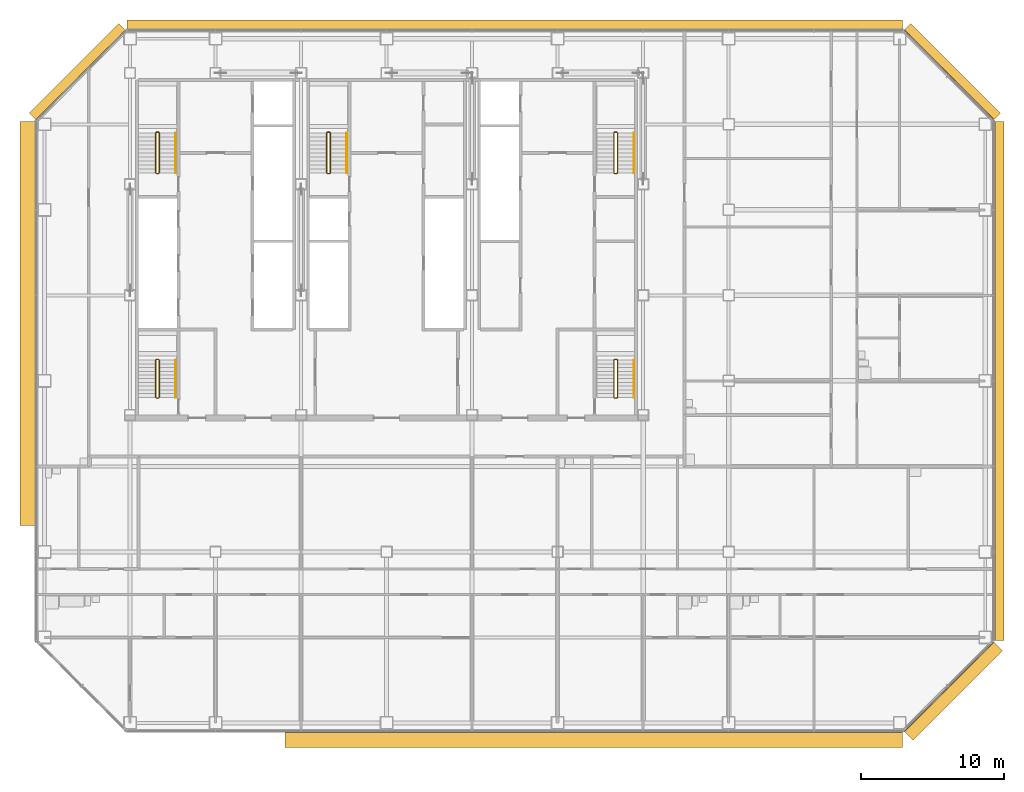
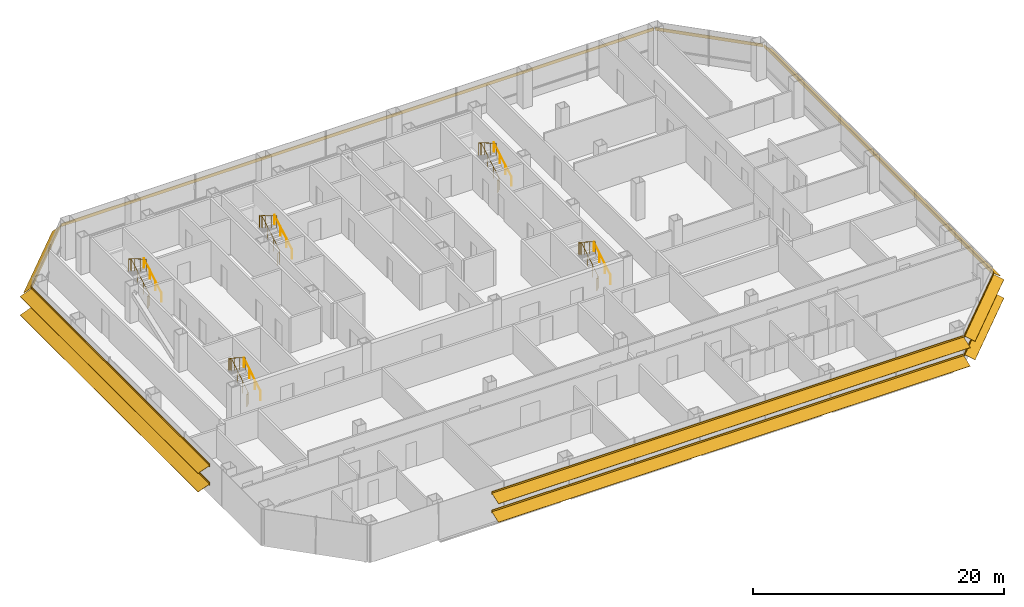
# One storey, part 26 of 27: 10 railings, 7 shading devices.
"""IFC4 building model written with IfcOpenShell, lengths in metres."""

from ifc_helpers import new_model, si_unit, direction, frame, origin, origin_2d, place, context, subcontext, project, spatial, polyline, circle, outline, composite_profile, extrude, material, type_object, element, save


model = new_model("IFC4")

# Units and contexts
model_context = context("Model", 3, precision=1e-05, world=origin(), true_north=direction((0.0, 1.0)))
body_context = subcontext(model_context, "Body", "Model", "MODEL_VIEW")
ifc_project = project(units=[si_unit("LENGTHUNIT", "METRE"), si_unit("AREAUNIT", "SQUARE_METRE"), si_unit("VOLUMEUNIT", "CUBIC_METRE"), si_unit("PLANEANGLEUNIT", "RADIAN"), si_unit("MASSUNIT", "GRAM", prefix="KILO")], contexts=[model_context])

# Site, building, storey
site_placement = place(None, origin())
site = spatial("IfcSite", under=ifc_project, at=site_placement, CompositionType="ELEMENT")
building_placement = place(site_placement, origin())
building = spatial("IfcBuilding", under=site, at=building_placement, Name="Sorahane Residences", CompositionType="ELEMENT")
storey_placement = place(building_placement, frame((0.0, 0.0, 57.0)))
storey = spatial("IfcBuildingStorey", under=building, at=storey_placement, Name="L10", CompositionType="ELEMENT", Elevation=57.0)

# Shading devices
ifc_material_1 = material(Name="Terracotta anodised aluminium", Category="masonry")
shading_device_type_1 = type_object("IfcShadingDeviceType", Name="Louvre sunshade blade E terracotta aluminium 700", PredefinedType="JALOUSIE", material=ifc_material_1)
shading_device_1_placement = place(storey_placement, frame((66.60009765625, 5.801513671875, 2.699951171875), z_axis=(0.0, 1.0, 0.0), x_axis=(-1.0, 0.0, 0.0)))
element("IfcShadingDevice", 1, at=shading_device_1_placement, inside=storey, type_object=shading_device_type_1, Name="Louvre sunshade blade bank E L10 E1", PredefinedType="JALOUSIE", context=body_context, shape_type="SweptSolid", body=[
    extrude(outline(polyline([(-0.719970703125, -0.49365234375), (-0.719970703125, -0.523681640625), (-0.080078125, -0.05859375), (-0.080078125, -0.14990234375), (-0.02001953125, -0.14990234375), (-0.02001953125, -0.014892578125), (-0.02001953125, 0.014892578125), (-0.02001953125, 0.14990234375), (-0.080078125, 0.14990234375), (-0.080078125, -0.028564453125), (-0.719970703125, -0.49365234375)])), origin(), (0.0, 0.0, 1.0), 36.39697265625),
])
ifc_material_2 = material(Name="Terracotta anodised aluminium", Category="masonry")
shading_device_type_2 = type_object("IfcShadingDeviceType", Name="Louvre sunshade blade N terracotta aluminium 700", PredefinedType="JALOUSIE", material=ifc_material_2)
shading_device_2_placement = place(storey_placement, frame((60.198486328125, 48.60009765625, 2.699951171875), z_axis=(-1.0, 0.0, 0.0), x_axis=(0.0, -1.0, 0.0)))
element("IfcShadingDevice", 2, at=shading_device_2_placement, inside=storey, type_object=shading_device_type_2, Name="Louvre sunshade blade bank N L10 N1", PredefinedType="JALOUSIE", context=body_context, shape_type="SweptSolid", body=[
    extrude(outline(polyline([(-0.719970703125, -0.660888671875), (-0.719970703125, -0.69091796875), (-0.080078125, -0.072998046875), (-0.080078125, -0.14990234375), (-0.02001953125, -0.14990234375), (-0.02001953125, -0.014892578125), (-0.02001953125, 0.014892578125), (-0.02001953125, 0.14990234375), (-0.080078125, 0.14990234375), (-0.080078125, -0.04296875), (-0.719970703125, -0.660888671875)])), origin(), (0.0, 0.0, 1.0), 54.39697265625),
])
ifc_material_3 = material(Name="Terracotta anodised aluminium", Category="masonry")
shading_device_type_3 = type_object("IfcShadingDeviceType", Name="Louvre sunshade blade NE terracotta aluminium 700", PredefinedType="JALOUSIE", material=ifc_material_3)
shading_device_3_placement = place(storey_placement, frame((66.564697265625, 42.283935546875, 2.699951171875), z_axis=(-0.707106781187, 0.707106781187, 0.0), x_axis=(-0.707106781187, -0.707106781187, 0.0)))
element("IfcShadingDevice", 3, at=shading_device_3_placement, inside=storey, type_object=shading_device_type_3, Name="Louvre sunshade blade bank NE L10 NE1", PredefinedType="JALOUSIE", context=body_context, shape_type="SweptSolid", body=[
    extrude(outline(polyline([(-0.719970703125, -0.572509765625), (-0.719970703125, -0.602294921875), (-0.080078125, -0.065185546875), (-0.080078125, -0.14990234375), (-0.02001953125, -0.14990234375), (-0.02001953125, -0.014892578125), (-0.02001953125, 0.014892578125), (-0.02001953125, 0.14990234375), (-0.080078125, 0.14990234375), (-0.080078125, -0.035400390625), (-0.719970703125, -0.572509765625)])), origin(), (0.0, 0.0, 1.0), 8.88232421875),
])
ifc_material_4 = material(Name="Terracotta anodised aluminium", Category="masonry")
shading_device_type_4 = type_object("IfcShadingDeviceType", Name="Louvre sunshade blade NW terracotta aluminium 700", PredefinedType="JALOUSIE", material=ifc_material_4)
shading_device_4_placement = place(storey_placement, frame((5.716064453125, 48.564697265625, 2.699951171875), z_axis=(-0.707106781187, -0.707106781187, 0.0), x_axis=(0.707106781187, -0.707106781187, 0.0)))
element("IfcShadingDevice", 4, at=shading_device_4_placement, inside=storey, type_object=shading_device_type_4, Name="Louvre sunshade blade bank NW L10 NW1", PredefinedType="JALOUSIE", context=body_context, shape_type="SweptSolid", body=[
    extrude(outline(polyline([(-0.719970703125, -0.660888671875), (-0.719970703125, -0.69091796875), (-0.080078125, -0.072998046875), (-0.080078125, -0.14990234375), (-0.02001953125, -0.14990234375), (-0.02001953125, -0.014892578125), (-0.02001953125, 0.014892578125), (-0.02001953125, 0.14990234375), (-0.080078125, 0.14990234375), (-0.080078125, -0.04296875), (-0.719970703125, -0.660888671875)])), origin(), (0.0, 0.0, 1.0), 8.88232421875),
])
ifc_material_5 = material(Name="Terracotta anodised aluminium", Category="masonry")
shading_device_type_5 = type_object("IfcShadingDeviceType", Name="Louvre sunshade blade S terracotta aluminium 1100", PredefinedType="JALOUSIE", material=ifc_material_5)
shading_device_5_placement = place(storey_placement, frame((16.869384765625, -0.60009765625, 0.89990234375), z_axis=(1.0, 0.0, 0.0), x_axis=(0.0, 1.0, 0.0)))
element("IfcShadingDevice", 5, at=shading_device_5_placement, inside=storey, type_object=shading_device_type_5, Name="Louvre sunshade blade bank S L10 S1", PredefinedType="JALOUSIE", context=body_context, shape_type="SweptSolid", body=[
    extrude(composite_profile([outline(polyline([(-1.1201171875, -0.385498046875), (-1.1201171875, -0.415283203125), (-0.080078125, -0.036865234375), (-0.080078125, -0.14990234375), (-0.02001953125, -0.14990234375), (-0.02001953125, -0.014892578125), (-0.02001953125, 0.014892578125), (-0.02001953125, 0.14990234375), (-0.080078125, 0.14990234375), (-0.080078125, -0.0068359375), (-1.1201171875, -0.385498046875)])), outline(polyline([(-1.1201171875, 1.41455078125), (-1.1201171875, 1.384521484375), (-0.080078125, 1.76318359375), (-0.080078125, 1.64990234375), (-0.02001953125, 1.64990234375), (-0.02001953125, 1.784912109375), (-0.02001953125, 1.81494140625), (-0.02001953125, 1.949951171875), (-0.080078125, 1.949951171875), (-0.080078125, 1.793212890625), (-1.1201171875, 1.41455078125)]))]), origin(), (0.0, 0.0, 1.0), 43.3291015625),
])
ifc_material_6 = material(Name="Terracotta anodised aluminium", Category="masonry")
shading_device_type_6 = type_object("IfcShadingDeviceType", Name="Louvre sunshade blade SE terracotta aluminium 900", PredefinedType="JALOUSIE", material=ifc_material_6)
shading_device_6_placement = place(storey_placement, frame((60.283935546875, -0.564697265625, 0.89990234375), z_axis=(0.707106781187, 0.707106781187, 0.0), x_axis=(-0.707106781187, 0.707106781187, 0.0)))
element("IfcShadingDevice", 6, at=shading_device_6_placement, inside=storey, type_object=shading_device_type_6, Name="Louvre sunshade blade bank SE L10 SE1", PredefinedType="JALOUSIE", context=body_context, shape_type="SweptSolid", body=[
    extrude(composite_profile([outline(polyline([(-0.919921875, -0.3486328125), (-0.919921875, -0.378662109375), (-0.080078125, -0.039306640625), (-0.080078125, -0.14990234375), (-0.02001953125, -0.14990234375), (-0.02001953125, -0.014892578125), (-0.02001953125, 0.014892578125), (-0.02001953125, 0.14990234375), (-0.080078125, 0.14990234375), (-0.080078125, -0.00927734375), (-0.919921875, -0.3486328125)])), outline(polyline([(-0.919921875, 1.451416015625), (-0.919921875, 1.42138671875), (-0.080078125, 1.7607421875), (-0.080078125, 1.64990234375), (-0.02001953125, 1.64990234375), (-0.02001953125, 1.784912109375), (-0.02001953125, 1.81494140625), (-0.02001953125, 1.949951171875), (-0.080078125, 1.949951171875), (-0.080078125, 1.790771484375), (-0.919921875, 1.451416015625)]))]), origin(), (0.0, 0.0, 1.0), 8.88232421875),
])
ifc_material_7 = material(Name="Terracotta anodised aluminium", Category="masonry")
shading_device_type_7 = type_object("IfcShadingDeviceType", Name="Louvre sunshade blade W terracotta aluminium 1100", PredefinedType="JALOUSIE", material=ifc_material_7)
shading_device_7_placement = place(storey_placement, frame((-0.60009765625, 42.198486328125, 0.89990234375), z_axis=(0.0, -1.0, 0.0), x_axis=(1.0, 0.0, 0.0)))
element("IfcShadingDevice", 7, at=shading_device_7_placement, inside=storey, type_object=shading_device_type_7, Name="Louvre sunshade blade bank W L10 W1", PredefinedType="JALOUSIE", context=body_context, shape_type="SweptSolid", body=[
    extrude(composite_profile([outline(polyline([(-1.1201171875, -0.385498046875), (-1.1201171875, -0.415283203125), (-0.080078125, -0.036865234375), (-0.080078125, -0.14990234375), (-0.02001953125, -0.14990234375), (-0.02001953125, -0.014892578125), (-0.02001953125, 0.014892578125), (-0.02001953125, 0.14990234375), (-0.080078125, 0.14990234375), (-0.080078125, -0.0068359375), (-1.1201171875, -0.385498046875)])), outline(polyline([(-1.1201171875, 1.41455078125), (-1.1201171875, 1.384521484375), (-0.080078125, 1.76318359375), (-0.080078125, 1.64990234375), (-0.02001953125, 1.64990234375), (-0.02001953125, 1.784912109375), (-0.02001953125, 1.81494140625), (-0.02001953125, 1.949951171875), (-0.080078125, 1.949951171875), (-0.080078125, 1.793212890625), (-1.1201171875, 1.41455078125)]))]), origin(), (0.0, 0.0, 1.0), 28.3291015625),
])

# Railings
ifc_material_8 = material(Name="Steel Q355B", Category="steel")
railing_type_1 = type_object("IfcRailingType", Name="Stair guard 1200 Steel Q355B", PredefinedType="GUARDRAIL", material=ifc_material_8)
railing_1_placement = place(storey_placement, frame((7.85009765625, 38.550048828125, 0.0)))
element("IfcRailing", 8, at=railing_1_placement, inside=storey, type_object=railing_type_1, Name="L10 S1 stair guard 1", PredefinedType="GUARDRAIL", context=body_context, shape_type="SweptSolid", body=[
    extrude(circle(Radius=0.02392578125, at=origin_2d()), frame((0.0, 0.0, 1.17578125), z_axis=(1.0, 0.0, 0.0), x_axis=(0.0, 1.0, 0.0)), (0.0, 0.0, 1.0), 0.14990234375),
    extrude(circle(Radius=0.02392578125, at=origin_2d()), frame((0.14990234375, 0.0, 1.17578125), z_axis=(0.280808744504, 0.280808744504, 0.917765164963), x_axis=(-0.707106781187, 0.707106781187, 0.0)), (0.0, 0.0, 1.0), 0.17822265625),
    extrude(circle(Radius=0.02392578125, at=origin_2d()), frame((0.199951171875, 0.050048828125, 1.33935546875), z_axis=(0.0, 0.863341702679, 0.504619762213), x_axis=(-1.0, 0.0, 0.0)), (0.0, 0.0, 1.0), 3.242919921875),
    extrude(circle(Radius=0.02392578125, at=origin_2d()), frame((0.199951171875, 2.849853515625, 2.97607421875), z_axis=(-0.707106781187, 0.707106781187, 0.0), x_axis=(-0.707106781187, -0.707106781187, 0.0)), (0.0, 0.0, 1.0), 0.07080078125),
    extrude(circle(Radius=0.02392578125, at=origin_2d()), frame((0.14990234375, 2.89990234375, 2.97607421875), z_axis=(-1.0, 0.0, 0.0), x_axis=(0.0, -1.0, 0.0)), (0.0, 0.0, 1.0), 0.14990234375),
    extrude(circle(Radius=0.02392578125, at=origin_2d()), frame((0.0, 2.89990234375, 2.97607421875), z_axis=(-0.280808744504, -0.280808744504, 0.917765164963), x_axis=(0.707106781187, -0.707106781187, 0.0)), (0.0, 0.0, 1.0), 0.17822265625),
    extrude(circle(Radius=0.02392578125, at=origin_2d()), frame((-0.050048828125, 2.849853515625, 3.1396484375), z_axis=(0.0, -0.863341702679, 0.504619762213), x_axis=(1.0, 0.0, 0.0)), (0.0, 0.0, 1.0), 3.242919921875),
    extrude(circle(Radius=0.02099609375, at=origin_2d()), origin(), (0.0, 0.0, 1.0), 1.15185546875),
    extrude(circle(Radius=0.02099609375, at=origin_2d()), frame((0.14990234375, 0.0, 0.0)), (0.0, 0.0, 1.0), 1.15185546875),
    extrude(circle(Radius=0.02099609375, at=origin_2d()), frame((0.199951171875, 0.050048828125, 0.16357421875)), (0.0, 0.0, 1.0), 1.15185546875),
    extrude(circle(Radius=0.02099609375, at=origin_2d()), frame((0.199951171875, 0.9833984375, 0.708984375)), (0.0, 0.0, 1.0), 1.15185546875),
    extrude(circle(Radius=0.02099609375, at=origin_2d()), frame((0.199951171875, 1.91650390625, 1.254638671875)), (0.0, 0.0, 1.0), 1.15185546875),
    extrude(circle(Radius=0.02099609375, at=origin_2d()), frame((0.199951171875, 2.849853515625, 1.800048828125)), (0.0, 0.0, 1.0), 1.15185546875),
    extrude(circle(Radius=0.02099609375, at=origin_2d()), frame((0.14990234375, 2.89990234375, 1.800048828125)), (0.0, 0.0, 1.0), 1.15185546875),
    extrude(circle(Radius=0.02099609375, at=origin_2d()), frame((0.0, 2.89990234375, 1.800048828125)), (0.0, 0.0, 1.0), 1.15185546875),
    extrude(circle(Radius=0.02099609375, at=origin_2d()), frame((-0.050048828125, 2.849853515625, 1.963623046875)), (0.0, 0.0, 1.0), 1.15185546875),
    extrude(circle(Radius=0.02099609375, at=origin_2d()), frame((-0.050048828125, 1.91650390625, 2.509033203125)), (0.0, 0.0, 1.0), 1.15185546875),
    extrude(circle(Radius=0.02099609375, at=origin_2d()), frame((-0.050048828125, 0.9833984375, 3.0546875)), (0.0, 0.0, 1.0), 1.15185546875),
    extrude(circle(Radius=0.02099609375, at=origin_2d()), frame((-0.050048828125, 0.050048828125, 3.60009765625)), (0.0, 0.0, 1.0), 1.15185546875),
])
railing_2_placement = place(storey_placement, frame((40.0, 38.550048828125, 0.0)))
element("IfcRailing", 9, at=railing_2_placement, inside=storey, type_object=railing_type_1, Name="L10 S2 stair guard 1", PredefinedType="GUARDRAIL", context=body_context, shape_type="SweptSolid", body=[
    extrude(circle(Radius=0.02392578125, at=origin_2d()), frame((0.0, 0.0, 1.17578125), z_axis=(1.0, 0.0, 0.0), x_axis=(0.0, 1.0, 0.0)), (0.0, 0.0, 1.0), 0.14990234375),
    extrude(circle(Radius=0.02392578125, at=origin_2d()), frame((0.14990234375, 0.0, 1.17578125), z_axis=(0.280808744504, 0.280808744504, 0.917765164963), x_axis=(-0.707106781187, 0.707106781187, 0.0)), (0.0, 0.0, 1.0), 0.17822265625),
    extrude(circle(Radius=0.02392578125, at=origin_2d()), frame((0.199951171875, 0.050048828125, 1.33935546875), z_axis=(0.0, 0.863341702679, 0.504619762213), x_axis=(-1.0, 0.0, 0.0)), (0.0, 0.0, 1.0), 3.242919921875),
    extrude(circle(Radius=0.02392578125, at=origin_2d()), frame((0.199951171875, 2.849853515625, 2.97607421875), z_axis=(-0.707106781187, 0.707106781187, 0.0), x_axis=(-0.707106781187, -0.707106781187, 0.0)), (0.0, 0.0, 1.0), 0.07080078125),
    extrude(circle(Radius=0.02392578125, at=origin_2d()), frame((0.14990234375, 2.89990234375, 2.97607421875), z_axis=(-1.0, 0.0, 0.0), x_axis=(0.0, -1.0, 0.0)), (0.0, 0.0, 1.0), 0.14990234375),
    extrude(circle(Radius=0.02392578125, at=origin_2d()), frame((0.0, 2.89990234375, 2.97607421875), z_axis=(-0.280808744504, -0.280808744504, 0.917765164963), x_axis=(0.707106781187, -0.707106781187, 0.0)), (0.0, 0.0, 1.0), 0.17822265625),
    extrude(circle(Radius=0.02392578125, at=origin_2d()), frame((-0.050048828125, 2.849853515625, 3.1396484375), z_axis=(0.0, -0.863341702679, 0.504619762213), x_axis=(1.0, 0.0, 0.0)), (0.0, 0.0, 1.0), 3.242919921875),
    extrude(circle(Radius=0.02099609375, at=origin_2d()), origin(), (0.0, 0.0, 1.0), 1.15185546875),
    extrude(circle(Radius=0.02099609375, at=origin_2d()), frame((0.14990234375, 0.0, 0.0)), (0.0, 0.0, 1.0), 1.15185546875),
    extrude(circle(Radius=0.02099609375, at=origin_2d()), frame((0.199951171875, 0.050048828125, 0.16357421875)), (0.0, 0.0, 1.0), 1.15185546875),
    extrude(circle(Radius=0.02099609375, at=origin_2d()), frame((0.199951171875, 0.9833984375, 0.708984375)), (0.0, 0.0, 1.0), 1.15185546875),
    extrude(circle(Radius=0.02099609375, at=origin_2d()), frame((0.199951171875, 1.91650390625, 1.254638671875)), (0.0, 0.0, 1.0), 1.15185546875),
    extrude(circle(Radius=0.02099609375, at=origin_2d()), frame((0.199951171875, 2.849853515625, 1.800048828125)), (0.0, 0.0, 1.0), 1.15185546875),
    extrude(circle(Radius=0.02099609375, at=origin_2d()), frame((0.14990234375, 2.89990234375, 1.800048828125)), (0.0, 0.0, 1.0), 1.15185546875),
    extrude(circle(Radius=0.02099609375, at=origin_2d()), frame((0.0, 2.89990234375, 1.800048828125)), (0.0, 0.0, 1.0), 1.15185546875),
    extrude(circle(Radius=0.02099609375, at=origin_2d()), frame((-0.050048828125, 2.849853515625, 1.963623046875)), (0.0, 0.0, 1.0), 1.15185546875),
    extrude(circle(Radius=0.02099609375, at=origin_2d()), frame((-0.050048828125, 1.91650390625, 2.509033203125)), (0.0, 0.0, 1.0), 1.15185546875),
    extrude(circle(Radius=0.02099609375, at=origin_2d()), frame((-0.050048828125, 0.9833984375, 3.0546875)), (0.0, 0.0, 1.0), 1.15185546875),
    extrude(circle(Radius=0.02099609375, at=origin_2d()), frame((-0.050048828125, 0.050048828125, 3.60009765625)), (0.0, 0.0, 1.0), 1.15185546875),
])
railing_3_placement = place(storey_placement, frame((19.85009765625, 38.550048828125, 0.0)))
element("IfcRailing", 10, at=railing_3_placement, inside=storey, type_object=railing_type_1, Name="L10 S3 stair guard 1", PredefinedType="GUARDRAIL", context=body_context, shape_type="SweptSolid", body=[
    extrude(circle(Radius=0.02392578125, at=origin_2d()), frame((0.0, 0.0, 1.17578125), z_axis=(1.0, 0.0, 0.0), x_axis=(0.0, 1.0, 0.0)), (0.0, 0.0, 1.0), 0.14990234375),
    extrude(circle(Radius=0.02392578125, at=origin_2d()), frame((0.14990234375, 0.0, 1.17578125), z_axis=(0.280808744504, 0.280808744504, 0.917765164963), x_axis=(-0.707106781187, 0.707106781187, 0.0)), (0.0, 0.0, 1.0), 0.17822265625),
    extrude(circle(Radius=0.02392578125, at=origin_2d()), frame((0.199951171875, 0.050048828125, 1.33935546875), z_axis=(0.0, 0.863341702679, 0.504619762213), x_axis=(-1.0, 0.0, 0.0)), (0.0, 0.0, 1.0), 3.242919921875),
    extrude(circle(Radius=0.02392578125, at=origin_2d()), frame((0.199951171875, 2.849853515625, 2.97607421875), z_axis=(-0.707106781187, 0.707106781187, 0.0), x_axis=(-0.707106781187, -0.707106781187, 0.0)), (0.0, 0.0, 1.0), 0.07080078125),
    extrude(circle(Radius=0.02392578125, at=origin_2d()), frame((0.14990234375, 2.89990234375, 2.97607421875), z_axis=(-1.0, 0.0, 0.0), x_axis=(0.0, -1.0, 0.0)), (0.0, 0.0, 1.0), 0.14990234375),
    extrude(circle(Radius=0.02392578125, at=origin_2d()), frame((0.0, 2.89990234375, 2.97607421875), z_axis=(-0.280808744504, -0.280808744504, 0.917765164963), x_axis=(0.707106781187, -0.707106781187, 0.0)), (0.0, 0.0, 1.0), 0.17822265625),
    extrude(circle(Radius=0.02392578125, at=origin_2d()), frame((-0.050048828125, 2.849853515625, 3.1396484375), z_axis=(0.0, -0.863341702679, 0.504619762213), x_axis=(1.0, 0.0, 0.0)), (0.0, 0.0, 1.0), 3.242919921875),
    extrude(circle(Radius=0.02099609375, at=origin_2d()), origin(), (0.0, 0.0, 1.0), 1.15185546875),
    extrude(circle(Radius=0.02099609375, at=origin_2d()), frame((0.14990234375, 0.0, 0.0)), (0.0, 0.0, 1.0), 1.15185546875),
    extrude(circle(Radius=0.02099609375, at=origin_2d()), frame((0.199951171875, 0.050048828125, 0.16357421875)), (0.0, 0.0, 1.0), 1.15185546875),
    extrude(circle(Radius=0.02099609375, at=origin_2d()), frame((0.199951171875, 0.9833984375, 0.708984375)), (0.0, 0.0, 1.0), 1.15185546875),
    extrude(circle(Radius=0.02099609375, at=origin_2d()), frame((0.199951171875, 1.91650390625, 1.254638671875)), (0.0, 0.0, 1.0), 1.15185546875),
    extrude(circle(Radius=0.02099609375, at=origin_2d()), frame((0.199951171875, 2.849853515625, 1.800048828125)), (0.0, 0.0, 1.0), 1.15185546875),
    extrude(circle(Radius=0.02099609375, at=origin_2d()), frame((0.14990234375, 2.89990234375, 1.800048828125)), (0.0, 0.0, 1.0), 1.15185546875),
    extrude(circle(Radius=0.02099609375, at=origin_2d()), frame((0.0, 2.89990234375, 1.800048828125)), (0.0, 0.0, 1.0), 1.15185546875),
    extrude(circle(Radius=0.02099609375, at=origin_2d()), frame((-0.050048828125, 2.849853515625, 1.963623046875)), (0.0, 0.0, 1.0), 1.15185546875),
    extrude(circle(Radius=0.02099609375, at=origin_2d()), frame((-0.050048828125, 1.91650390625, 2.509033203125)), (0.0, 0.0, 1.0), 1.15185546875),
    extrude(circle(Radius=0.02099609375, at=origin_2d()), frame((-0.050048828125, 0.9833984375, 3.0546875)), (0.0, 0.0, 1.0), 1.15185546875),
    extrude(circle(Radius=0.02099609375, at=origin_2d()), frame((-0.050048828125, 0.050048828125, 3.60009765625)), (0.0, 0.0, 1.0), 1.15185546875),
])
railing_4_placement = place(storey_placement, frame((7.85009765625, 22.800048828125, 0.0)))
element("IfcRailing", 11, at=railing_4_placement, inside=storey, type_object=railing_type_1, Name="L10 S4 stair guard 1", PredefinedType="GUARDRAIL", context=body_context, shape_type="SweptSolid", body=[
    extrude(circle(Radius=0.02392578125, at=origin_2d()), frame((0.0, 0.0, 1.17578125), z_axis=(1.0, 0.0, 0.0), x_axis=(0.0, 1.0, 0.0)), (0.0, 0.0, 1.0), 0.14990234375),
    extrude(circle(Radius=0.02392578125, at=origin_2d()), frame((0.14990234375, 0.0, 1.17578125), z_axis=(0.280808744504, 0.280808744504, 0.917765164963), x_axis=(-0.707106781187, 0.707106781187, 0.0)), (0.0, 0.0, 1.0), 0.17822265625),
    extrude(circle(Radius=0.02392578125, at=origin_2d()), frame((0.199951171875, 0.050048828125, 1.33935546875), z_axis=(0.0, 0.846301844409, 0.532703658848), x_axis=(-1.0, 0.0, 0.0)), (0.0, 0.0, 1.0), 3.072021484375),
    extrude(circle(Radius=0.02392578125, at=origin_2d()), frame((0.199951171875, 2.64990234375, 2.97607421875), z_axis=(-0.707106781187, 0.707106781187, 0.0), x_axis=(-0.707106781187, -0.707106781187, 0.0)), (0.0, 0.0, 1.0), 0.07080078125),
    extrude(circle(Radius=0.02392578125, at=origin_2d()), frame((0.14990234375, 2.699951171875, 2.97607421875), z_axis=(-1.0, 0.0, 0.0), x_axis=(0.0, -1.0, 0.0)), (0.0, 0.0, 1.0), 0.14990234375),
    extrude(circle(Radius=0.02392578125, at=origin_2d()), frame((0.0, 2.699951171875, 2.97607421875), z_axis=(-0.280808744504, -0.280808744504, 0.917765164963), x_axis=(0.707106781187, -0.707106781187, 0.0)), (0.0, 0.0, 1.0), 0.17822265625),
    extrude(circle(Radius=0.02392578125, at=origin_2d()), frame((-0.050048828125, 2.64990234375, 3.1396484375), z_axis=(0.0, -0.846301844409, 0.532703658848), x_axis=(1.0, 0.0, 0.0)), (0.0, 0.0, 1.0), 3.072021484375),
    extrude(circle(Radius=0.02099609375, at=origin_2d()), origin(), (0.0, 0.0, 1.0), 1.15185546875),
    extrude(circle(Radius=0.02099609375, at=origin_2d()), frame((0.14990234375, 0.0, 0.0)), (0.0, 0.0, 1.0), 1.15185546875),
    extrude(circle(Radius=0.02099609375, at=origin_2d()), frame((0.199951171875, 0.050048828125, 0.16357421875)), (0.0, 0.0, 1.0), 1.15185546875),
    extrude(circle(Radius=0.02099609375, at=origin_2d()), frame((0.199951171875, 0.916748046875, 0.708984375)), (0.0, 0.0, 1.0), 1.15185546875),
    extrude(circle(Radius=0.02099609375, at=origin_2d()), frame((0.199951171875, 1.783203125, 1.254638671875)), (0.0, 0.0, 1.0), 1.15185546875),
    extrude(circle(Radius=0.02099609375, at=origin_2d()), frame((0.199951171875, 2.64990234375, 1.800048828125)), (0.0, 0.0, 1.0), 1.15185546875),
    extrude(circle(Radius=0.02099609375, at=origin_2d()), frame((0.14990234375, 2.699951171875, 1.800048828125)), (0.0, 0.0, 1.0), 1.15185546875),
    extrude(circle(Radius=0.02099609375, at=origin_2d()), frame((0.0, 2.699951171875, 1.800048828125)), (0.0, 0.0, 1.0), 1.15185546875),
    extrude(circle(Radius=0.02099609375, at=origin_2d()), frame((-0.050048828125, 2.64990234375, 1.963623046875)), (0.0, 0.0, 1.0), 1.15185546875),
    extrude(circle(Radius=0.02099609375, at=origin_2d()), frame((-0.050048828125, 1.783203125, 2.509033203125)), (0.0, 0.0, 1.0), 1.15185546875),
    extrude(circle(Radius=0.02099609375, at=origin_2d()), frame((-0.050048828125, 0.916748046875, 3.0546875)), (0.0, 0.0, 1.0), 1.15185546875),
    extrude(circle(Radius=0.02099609375, at=origin_2d()), frame((-0.050048828125, 0.050048828125, 3.60009765625)), (0.0, 0.0, 1.0), 1.15185546875),
])
railing_5_placement = place(storey_placement, frame((40.0, 22.800048828125, 0.0)))
element("IfcRailing", 12, at=railing_5_placement, inside=storey, type_object=railing_type_1, Name="L10 S5 stair guard 1", PredefinedType="GUARDRAIL", context=body_context, shape_type="SweptSolid", body=[
    extrude(circle(Radius=0.02392578125, at=origin_2d()), frame((0.0, 0.0, 1.17578125), z_axis=(1.0, 0.0, 0.0), x_axis=(0.0, 1.0, 0.0)), (0.0, 0.0, 1.0), 0.14990234375),
    extrude(circle(Radius=0.02392578125, at=origin_2d()), frame((0.14990234375, 0.0, 1.17578125), z_axis=(0.280808744504, 0.280808744504, 0.917765164963), x_axis=(-0.707106781187, 0.707106781187, 0.0)), (0.0, 0.0, 1.0), 0.17822265625),
    extrude(circle(Radius=0.02392578125, at=origin_2d()), frame((0.199951171875, 0.050048828125, 1.33935546875), z_axis=(0.0, 0.846301844409, 0.532703658848), x_axis=(-1.0, 0.0, 0.0)), (0.0, 0.0, 1.0), 3.072021484375),
    extrude(circle(Radius=0.02392578125, at=origin_2d()), frame((0.199951171875, 2.64990234375, 2.97607421875), z_axis=(-0.707106781187, 0.707106781187, 0.0), x_axis=(-0.707106781187, -0.707106781187, 0.0)), (0.0, 0.0, 1.0), 0.07080078125),
    extrude(circle(Radius=0.02392578125, at=origin_2d()), frame((0.14990234375, 2.699951171875, 2.97607421875), z_axis=(-1.0, 0.0, 0.0), x_axis=(0.0, -1.0, 0.0)), (0.0, 0.0, 1.0), 0.14990234375),
    extrude(circle(Radius=0.02392578125, at=origin_2d()), frame((0.0, 2.699951171875, 2.97607421875), z_axis=(-0.280808744504, -0.280808744504, 0.917765164963), x_axis=(0.707106781187, -0.707106781187, 0.0)), (0.0, 0.0, 1.0), 0.17822265625),
    extrude(circle(Radius=0.02392578125, at=origin_2d()), frame((-0.050048828125, 2.64990234375, 3.1396484375), z_axis=(0.0, -0.846301844409, 0.532703658848), x_axis=(1.0, 0.0, 0.0)), (0.0, 0.0, 1.0), 3.072021484375),
    extrude(circle(Radius=0.02099609375, at=origin_2d()), origin(), (0.0, 0.0, 1.0), 1.15185546875),
    extrude(circle(Radius=0.02099609375, at=origin_2d()), frame((0.14990234375, 0.0, 0.0)), (0.0, 0.0, 1.0), 1.15185546875),
    extrude(circle(Radius=0.02099609375, at=origin_2d()), frame((0.199951171875, 0.050048828125, 0.16357421875)), (0.0, 0.0, 1.0), 1.15185546875),
    extrude(circle(Radius=0.02099609375, at=origin_2d()), frame((0.199951171875, 0.916748046875, 0.708984375)), (0.0, 0.0, 1.0), 1.15185546875),
    extrude(circle(Radius=0.02099609375, at=origin_2d()), frame((0.199951171875, 1.783203125, 1.254638671875)), (0.0, 0.0, 1.0), 1.15185546875),
    extrude(circle(Radius=0.02099609375, at=origin_2d()), frame((0.199951171875, 2.64990234375, 1.800048828125)), (0.0, 0.0, 1.0), 1.15185546875),
    extrude(circle(Radius=0.02099609375, at=origin_2d()), frame((0.14990234375, 2.699951171875, 1.800048828125)), (0.0, 0.0, 1.0), 1.15185546875),
    extrude(circle(Radius=0.02099609375, at=origin_2d()), frame((0.0, 2.699951171875, 1.800048828125)), (0.0, 0.0, 1.0), 1.15185546875),
    extrude(circle(Radius=0.02099609375, at=origin_2d()), frame((-0.050048828125, 2.64990234375, 1.963623046875)), (0.0, 0.0, 1.0), 1.15185546875),
    extrude(circle(Radius=0.02099609375, at=origin_2d()), frame((-0.050048828125, 1.783203125, 2.509033203125)), (0.0, 0.0, 1.0), 1.15185546875),
    extrude(circle(Radius=0.02099609375, at=origin_2d()), frame((-0.050048828125, 0.916748046875, 3.0546875)), (0.0, 0.0, 1.0), 1.15185546875),
    extrude(circle(Radius=0.02099609375, at=origin_2d()), frame((-0.050048828125, 0.050048828125, 3.60009765625)), (0.0, 0.0, 1.0), 1.15185546875),
])
ifc_material_9 = material(Name="Steel Q355B", Category="steel")
railing_type_2 = type_object("IfcRailingType", Name="Stair handrail 900 Steel Q355B", PredefinedType="HANDRAIL", material=ifc_material_9)
for number, where, name in (
    (13, (9.199951171875, 38.60009765625, 0.16357421875), "L10 S1 stair handrail 1"),
    (14, (41.35009765625, 38.60009765625, 0.16357421875), "L10 S2 stair handrail 1"),
    (15, (21.199951171875, 38.60009765625, 0.16357421875), "L10 S3 stair handrail 1"),
):
    element("IfcRailing", number, at=place(storey_placement, frame(where)), inside=storey, type_object=railing_type_2, Name=name, PredefinedType="HANDRAIL", context=body_context, shape_type="SweptSolid", body=[
        extrude(circle(Radius=0.02392578125, at=origin_2d()), frame((0.0, 0.0, 0.8759765625), z_axis=(0.0, 0.863341702679, 0.504619762213), x_axis=(-1.0, 0.0, 0.0)), (0.0, 0.0, 1.0), 3.242919921875),
        extrude(circle(Radius=0.02099609375, at=origin_2d()), origin(), (0.0, 0.0, 1.0), 0.851806640625),
        extrude(circle(Radius=0.02099609375, at=origin_2d()), frame((0.0, 0.933349609375, 0.54541015625)), (0.0, 0.0, 1.0), 0.851806640625),
        extrude(circle(Radius=0.02099609375, at=origin_2d()), frame((0.0, 1.866455078125, 1.091064453125)), (0.0, 0.0, 1.0), 0.851806640625),
        extrude(circle(Radius=0.02099609375, at=origin_2d()), frame((0.0, 2.7998046875, 1.636474609375)), (0.0, 0.0, 1.0), 0.851806640625),
    ])
for number, where, name in (
    (16, (9.199951171875, 22.85009765625, 0.16357421875), "L10 S4 stair handrail 1"),
    (17, (41.35009765625, 22.85009765625, 0.16357421875), "L10 S5 stair handrail 1"),
):
    element("IfcRailing", number, at=place(storey_placement, frame(where)), inside=storey, type_object=railing_type_2, Name=name, PredefinedType="HANDRAIL", context=body_context, shape_type="SweptSolid", body=[
        extrude(circle(Radius=0.02392578125, at=origin_2d()), frame((0.0, 0.0, 0.8759765625), z_axis=(0.0, 0.846301844409, 0.532703658848), x_axis=(-1.0, 0.0, 0.0)), (0.0, 0.0, 1.0), 3.072021484375),
        extrude(circle(Radius=0.02099609375, at=origin_2d()), origin(), (0.0, 0.0, 1.0), 0.851806640625),
        extrude(circle(Radius=0.02099609375, at=origin_2d()), frame((0.0, 0.86669921875, 0.54541015625)), (0.0, 0.0, 1.0), 0.851806640625),
        extrude(circle(Radius=0.02099609375, at=origin_2d()), frame((0.0, 1.733154296875, 1.091064453125)), (0.0, 0.0, 1.0), 0.851806640625),
        extrude(circle(Radius=0.02099609375, at=origin_2d()), frame((0.0, 2.599853515625, 1.636474609375)), (0.0, 0.0, 1.0), 0.851806640625),
    ])

save(model, "model.ifc")
